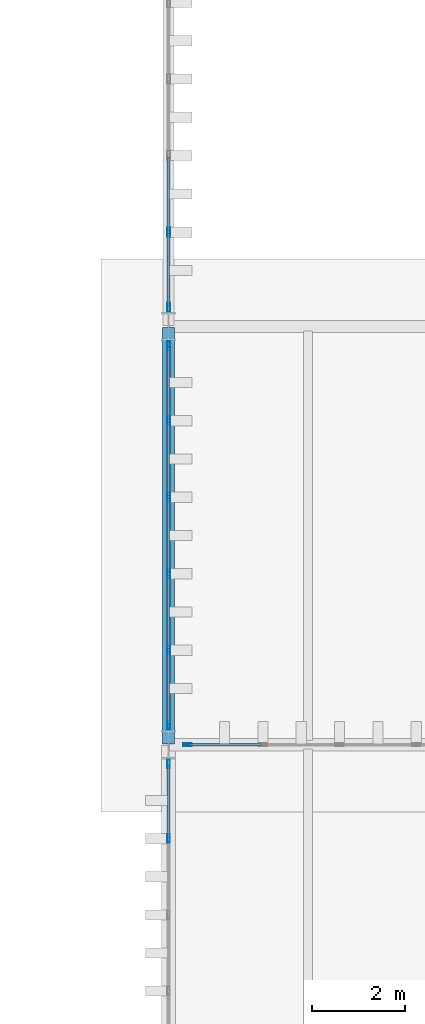
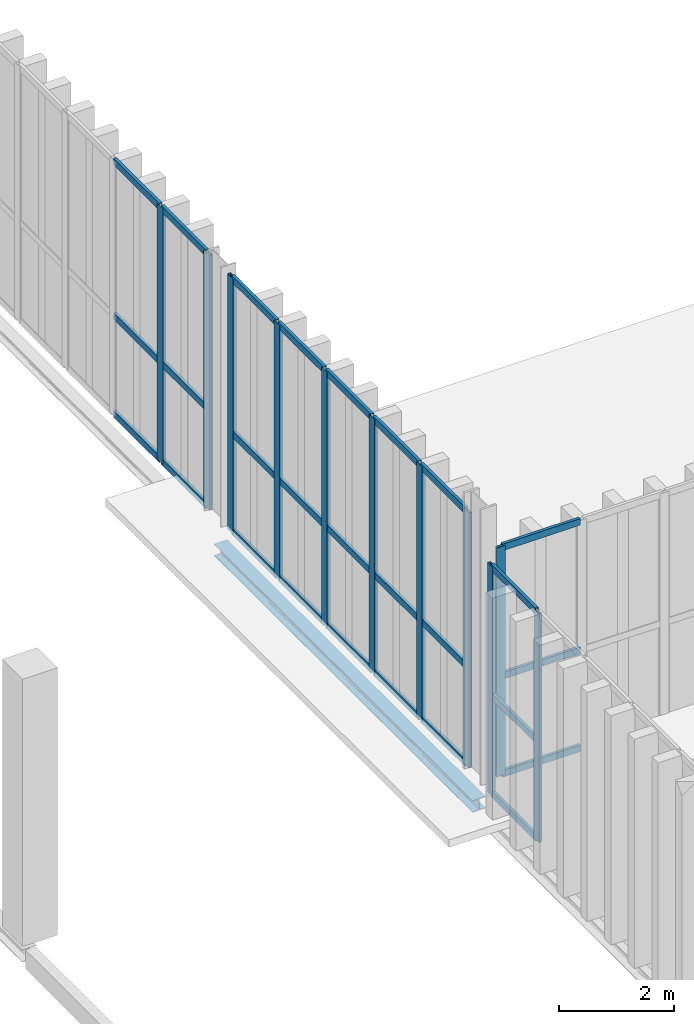
# One storey, part 105 of 237: 38 members, 1 beam, 4 elements without a shape of their own.
"""IFC4 building model written with IfcOpenShell, lengths in metres."""

from ifc_helpers import new_model, si_unit, direction, frame, origin, origin_2d, place, context, subcontext, project, spatial, hollow_rectangle, i_section, extrude, material, layer, layer_set, material_profile, profile_set, type_object, element, aggregate, save


model = new_model("IFC4")

# Units and contexts
model_context = context("Model", 3, precision=1e-05, world=origin(), true_north=direction((0.0, 1.0)))
body_context = subcontext(model_context, "Body", "Model", "MODEL_VIEW")
ifc_project = project(units=[si_unit("LENGTHUNIT", "METRE"), si_unit("AREAUNIT", "SQUARE_METRE"), si_unit("VOLUMEUNIT", "CUBIC_METRE"), si_unit("PLANEANGLEUNIT", "RADIAN"), si_unit("MASSUNIT", "GRAM", prefix="KILO")], contexts=[model_context])

# Site, building, storey
site_placement = place(None, origin())
site = spatial("IfcSite", under=ifc_project, at=site_placement, CompositionType="ELEMENT")
building_placement = place(site_placement, origin())
building = spatial("IfcBuilding", under=site, at=building_placement, Name="Barlavento Convention Centre", CompositionType="ELEMENT")
storey_placement = place(building_placement, frame((0.0, 0.0, 12.0)))
storey = spatial("IfcBuildingStorey", under=building, at=storey_placement, Name="L02", CompositionType="ELEMENT", Elevation=12.0)

# Curtain wall, members
ifc_material_1 = material(Name="Powder-coated aluminium and Low-E glass", Category="aluminium")
ifc_layer_1 = layer(ifc_material_1, 0.195068359375)
ifc_layer_set_1 = layer_set([ifc_layer_1], Name="ARC-CW-BALL-L02")
curtain_wall_type_1 = type_object("IfcCurtainWallType", Name="ARC-CW-BALL-L02", PredefinedType="NOTDEFINED", material=ifc_layer_set_1)
curtain_wall_1_placement = place(storey_placement, origin())
curtain_wall_1 = element("IfcCurtainWall", 1, at=curtain_wall_1_placement, inside=storey, type_object=curtain_wall_type_1, Name="L02 unitised curtain wall CW07", PredefinedType="NOTDEFINED")
ifc_material_2 = material(Name="Powder-coated aluminium", Category="aluminium")
ifc_material_profile_1 = material_profile(ifc_material_2, hollow_rectangle(XDim=0.06005859375, YDim=0.179931640625, WallThickness=0.0048828125, at=origin_2d()), Name="AL-MULL 60x180x5")
ifc_profile_set_1 = profile_set([ifc_material_profile_1], Name="Powder-coated aluminium")
member_type_1 = type_object("IfcMemberType", Name="ARC-CWM-60X180", PredefinedType="MULLION", material=ifc_profile_set_1)
member_1_placement = place(storey_placement, frame((126.0, 96.97998046875, 0.0), z_axis=(0.0, 0.0, 1.0), x_axis=(-1.0, 0.0, 0.0)))
member_1 = element("IfcMember", 2, at=member_1_placement, type_object=member_type_1, Name="CW07 mullion 5", PredefinedType="MULLION", context=body_context, shape_type="SweptSolid", body=[
    extrude(hollow_rectangle(XDim=0.06005859375, YDim=0.179931640625, WallThickness=0.0048828125, at=origin_2d()), origin(), (0.0, 0.0, 1.0), 4.85009765625),
])
member_2_placement = place(storey_placement, frame((126.0, 98.590087890625, 0.0), z_axis=(0.0, 0.0, 1.0), x_axis=(-1.0, 0.0, 0.0)))
member_2 = element("IfcMember", 3, at=member_2_placement, type_object=member_type_1, Name="CW07 mullion 6", PredefinedType="MULLION", context=body_context, shape_type="SweptSolid", body=[
    extrude(hollow_rectangle(XDim=0.06005859375, YDim=0.179931640625, WallThickness=0.0048828125, at=origin_2d()), origin(), (0.0, 0.0, 1.0), 4.85009765625),
])

# Curtain wall, member
curtain_wall_2_placement = place(storey_placement, origin())
curtain_wall_2 = element("IfcCurtainWall", 4, at=curtain_wall_2_placement, inside=storey, type_object=curtain_wall_type_1, Name="L02 unitised curtain wall CW07", PredefinedType="NOTDEFINED")
member_3_placement = place(storey_placement, frame((126.409912109375, 99.0, 0.0), z_axis=(0.0, 0.0, 1.0), x_axis=(0.0, 1.0, 0.0)))
member_3 = element("IfcMember", 5, at=member_3_placement, type_object=member_type_1, Name="CW07 mullion 1", PredefinedType="MULLION", context=body_context, shape_type="SweptSolid", body=[
    extrude(hollow_rectangle(XDim=0.06005859375, YDim=0.179931640625, WallThickness=0.0048828125, at=origin_2d()), origin(), (0.0, 0.0, 1.0), 4.85009765625),
])

# Curtain wall, members
ifc_layer_2 = layer(ifc_material_1, 0.18505859375)
ifc_layer_set_2 = layer_set([ifc_layer_2], Name="ARC-CW-EXH-L02")
curtain_wall_type_2 = type_object("IfcCurtainWallType", Name="ARC-CW-EXH-L02", PredefinedType="NOTDEFINED", material=ifc_layer_set_2)
curtain_wall_3_placement = place(storey_placement, origin())
curtain_wall_3 = element("IfcCurtainWall", 6, at=curtain_wall_3_placement, inside=storey, type_object=curtain_wall_type_2, Name="L02 unitised curtain wall CW05", PredefinedType="NOTDEFINED")
ifc_material_profile_2 = material_profile(ifc_material_2, hollow_rectangle(XDim=0.06494140625, YDim=0.199951171875, WallThickness=0.0048828125, at=origin_2d()), Name="AL-MULL 65x200x5")
ifc_profile_set_2 = profile_set([ifc_material_profile_2], Name="Powder-coated aluminium")
member_type_2 = type_object("IfcMemberType", Name="ARC-CWM-65X200", PredefinedType="MULLION", material=ifc_profile_set_2)
member_4_placement = place(storey_placement, frame((126.0, 99.422607421875, 0.10009765625), z_axis=(0.0, 0.0, 1.0), x_axis=(-1.0, 0.0, 0.0)))
member_4 = element("IfcMember", 7, at=member_4_placement, type_object=member_type_2, Name="CW05 mullion 1", PredefinedType="MULLION", context=body_context, shape_type="SweptSolid", body=[
    extrude(hollow_rectangle(XDim=0.06494140625, YDim=0.199951171875, WallThickness=0.0048828125, at=origin_2d()), origin(), (0.0, 0.0, 1.0), 5.39990234375),
])
member_5_placement = place(storey_placement, frame((126.0, 101.035888671875, 0.10009765625), z_axis=(0.0, 0.0, 1.0), x_axis=(-1.0, 0.0, 0.0)))
member_5 = element("IfcMember", 8, at=member_5_placement, type_object=member_type_2, Name="CW05 mullion 2", PredefinedType="MULLION", context=body_context, shape_type="SweptSolid", body=[
    extrude(hollow_rectangle(XDim=0.06494140625, YDim=0.199951171875, WallThickness=0.0048828125, at=origin_2d()), origin(), (0.0, 0.0, 1.0), 5.39990234375),
])
member_6_placement = place(storey_placement, frame((126.0, 102.681884765625, 0.10009765625), z_axis=(0.0, 0.0, 1.0), x_axis=(-1.0, 0.0, 0.0)))
member_6 = element("IfcMember", 9, at=member_6_placement, type_object=member_type_2, Name="CW05 mullion 3", PredefinedType="MULLION", context=body_context, shape_type="SweptSolid", body=[
    extrude(hollow_rectangle(XDim=0.06494140625, YDim=0.199951171875, WallThickness=0.0048828125, at=origin_2d()), origin(), (0.0, 0.0, 1.0), 5.39990234375),
])
member_7_placement = place(storey_placement, frame((126.0, 104.327880859375, 0.10009765625), z_axis=(0.0, 0.0, 1.0), x_axis=(-1.0, 0.0, 0.0)))
member_7 = element("IfcMember", 10, at=member_7_placement, type_object=member_type_2, Name="CW05 mullion 4", PredefinedType="MULLION", context=body_context, shape_type="SweptSolid", body=[
    extrude(hollow_rectangle(XDim=0.06494140625, YDim=0.199951171875, WallThickness=0.0048828125, at=origin_2d()), origin(), (0.0, 0.0, 1.0), 5.39990234375),
])
member_8_placement = place(storey_placement, frame((126.0, 105.97412109375, 0.10009765625), z_axis=(0.0, 0.0, 1.0), x_axis=(-1.0, 0.0, 0.0)))
member_8 = element("IfcMember", 11, at=member_8_placement, type_object=member_type_2, Name="CW05 mullion 5", PredefinedType="MULLION", context=body_context, shape_type="SweptSolid", body=[
    extrude(hollow_rectangle(XDim=0.06494140625, YDim=0.199951171875, WallThickness=0.0048828125, at=origin_2d()), origin(), (0.0, 0.0, 1.0), 5.39990234375),
])
member_9_placement = place(storey_placement, frame((126.0, 107.58740234375, 0.10009765625), z_axis=(0.0, 0.0, 1.0), x_axis=(-1.0, 0.0, 0.0)))
member_9 = element("IfcMember", 12, at=member_9_placement, type_object=member_type_2, Name="CW05 mullion 6", PredefinedType="MULLION", context=body_context, shape_type="SweptSolid", body=[
    extrude(hollow_rectangle(XDim=0.06494140625, YDim=0.199951171875, WallThickness=0.0048828125, at=origin_2d()), origin(), (0.0, 0.0, 1.0), 5.39990234375),
])

curtain_wall_4_placement = place(storey_placement, origin())
curtain_wall_4 = element("IfcCurtainWall", 13, at=curtain_wall_4_placement, inside=storey, type_object=curtain_wall_type_2, Name="L02 unitised curtain wall CW05", PredefinedType="NOTDEFINED")
member_10_placement = place(storey_placement, frame((126.0, 108.41259765625, 0.10009765625), z_axis=(0.0, 0.0, 1.0), x_axis=(-1.0, 0.0, 0.0)))
member_10 = element("IfcMember", 14, at=member_10_placement, type_object=member_type_2, Name="CW05 mullion 1", PredefinedType="MULLION", context=body_context, shape_type="SweptSolid", body=[
    extrude(hollow_rectangle(XDim=0.06494140625, YDim=0.199951171875, WallThickness=0.0048828125, at=origin_2d()), origin(), (0.0, 0.0, 1.0), 5.39990234375),
])
member_11_placement = place(storey_placement, frame((126.0, 110.028076171875, 0.10009765625), z_axis=(0.0, 0.0, 1.0), x_axis=(-1.0, 0.0, 0.0)))
member_11 = element("IfcMember", 15, at=member_11_placement, type_object=member_type_2, Name="CW05 mullion 2", PredefinedType="MULLION", context=body_context, shape_type="SweptSolid", body=[
    extrude(hollow_rectangle(XDim=0.06494140625, YDim=0.199951171875, WallThickness=0.0048828125, at=origin_2d()), origin(), (0.0, 0.0, 1.0), 5.39990234375),
])

# Member
ifc_material_profile_3 = material_profile(ifc_material_2, hollow_rectangle(XDim=0.06005859375, YDim=0.139892578125, WallThickness=0.00390625, at=origin_2d()), Name="AL-TRAN 60x140x4")
ifc_profile_set_3 = profile_set([ifc_material_profile_3], Name="Powder-coated aluminium")
member_type_3 = type_object("IfcMemberType", Name="ARC-CWT-60X140", PredefinedType="USERDEFINED", material=ifc_profile_set_3)
member_12_placement = place(storey_placement, frame((126.0, 99.455078125, 0.1298828125), z_axis=(0.0, 1.0, 0.0), x_axis=(-1.0, 0.0, 0.0)))
member_12 = element("IfcMember", 16, at=member_12_placement, type_object=member_type_3, Name="CW05 transom 1.1", ObjectType="TRANSOM", PredefinedType="USERDEFINED", context=body_context, shape_type="SweptSolid", body=[
    extrude(hollow_rectangle(XDim=0.06005859375, YDim=0.139892578125, WallThickness=0.00390625, at=origin_2d()), origin(), (0.0, 0.0, 1.0), 1.54833984375),
])

member_13_placement = place(storey_placement, frame((126.0, 99.455078125, 2.199951171875), z_axis=(0.0, 1.0, 0.0), x_axis=(-1.0, 0.0, 0.0)))
member_13 = element("IfcMember", 17, at=member_13_placement, type_object=member_type_3, Name="CW05 transom 1.2", ObjectType="TRANSOM", PredefinedType="USERDEFINED", context=body_context, shape_type="SweptSolid", body=[
    extrude(hollow_rectangle(XDim=0.06005859375, YDim=0.139892578125, WallThickness=0.00390625, at=origin_2d()), origin(), (0.0, 0.0, 1.0), 1.54833984375),
])

member_14_placement = place(storey_placement, frame((126.0, 99.455078125, 5.469970703125), z_axis=(0.0, 1.0, 0.0), x_axis=(-1.0, 0.0, 0.0)))
member_14 = element("IfcMember", 18, at=member_14_placement, type_object=member_type_3, Name="CW05 transom 1.3", ObjectType="TRANSOM", PredefinedType="USERDEFINED", context=body_context, shape_type="SweptSolid", body=[
    extrude(hollow_rectangle(XDim=0.06005859375, YDim=0.139892578125, WallThickness=0.00390625, at=origin_2d()), origin(), (0.0, 0.0, 1.0), 1.54833984375),
])

member_15_placement = place(storey_placement, frame((126.0, 101.068603515625, 0.1298828125), z_axis=(0.0, 1.0, 0.0), x_axis=(-1.0, 0.0, 0.0)))
member_15 = element("IfcMember", 19, at=member_15_placement, type_object=member_type_3, Name="CW05 transom 2.1", ObjectType="TRANSOM", PredefinedType="USERDEFINED", context=body_context, shape_type="SweptSolid", body=[
    extrude(hollow_rectangle(XDim=0.06005859375, YDim=0.139892578125, WallThickness=0.00390625, at=origin_2d()), origin(), (0.0, 0.0, 1.0), 1.580810546875),
])

member_16_placement = place(storey_placement, frame((126.0, 101.068603515625, 2.199951171875), z_axis=(0.0, 1.0, 0.0), x_axis=(-1.0, 0.0, 0.0)))
member_16 = element("IfcMember", 20, at=member_16_placement, type_object=member_type_3, Name="CW05 transom 2.2", ObjectType="TRANSOM", PredefinedType="USERDEFINED", context=body_context, shape_type="SweptSolid", body=[
    extrude(hollow_rectangle(XDim=0.06005859375, YDim=0.139892578125, WallThickness=0.00390625, at=origin_2d()), origin(), (0.0, 0.0, 1.0), 1.580810546875),
])

member_17_placement = place(storey_placement, frame((126.0, 101.068603515625, 5.469970703125), z_axis=(0.0, 1.0, 0.0), x_axis=(-1.0, 0.0, 0.0)))
member_17 = element("IfcMember", 21, at=member_17_placement, type_object=member_type_3, Name="CW05 transom 2.3", ObjectType="TRANSOM", PredefinedType="USERDEFINED", context=body_context, shape_type="SweptSolid", body=[
    extrude(hollow_rectangle(XDim=0.06005859375, YDim=0.139892578125, WallThickness=0.00390625, at=origin_2d()), origin(), (0.0, 0.0, 1.0), 1.580810546875),
])

member_18_placement = place(storey_placement, frame((126.0, 102.714599609375, 0.1298828125), z_axis=(0.0, 1.0, 0.0), x_axis=(-1.0, 0.0, 0.0)))
member_18 = element("IfcMember", 22, at=member_18_placement, type_object=member_type_3, Name="CW05 transom 3.1", ObjectType="TRANSOM", PredefinedType="USERDEFINED", context=body_context, shape_type="SweptSolid", body=[
    extrude(hollow_rectangle(XDim=0.06005859375, YDim=0.139892578125, WallThickness=0.00390625, at=origin_2d()), origin(), (0.0, 0.0, 1.0), 1.580810546875),
])

member_19_placement = place(storey_placement, frame((126.0, 102.714599609375, 2.199951171875), z_axis=(0.0, 1.0, 0.0), x_axis=(-1.0, 0.0, 0.0)))
member_19 = element("IfcMember", 23, at=member_19_placement, type_object=member_type_3, Name="CW05 transom 3.2", ObjectType="TRANSOM", PredefinedType="USERDEFINED", context=body_context, shape_type="SweptSolid", body=[
    extrude(hollow_rectangle(XDim=0.06005859375, YDim=0.139892578125, WallThickness=0.00390625, at=origin_2d()), origin(), (0.0, 0.0, 1.0), 1.580810546875),
])

member_20_placement = place(storey_placement, frame((126.0, 102.714599609375, 5.469970703125), z_axis=(0.0, 1.0, 0.0), x_axis=(-1.0, 0.0, 0.0)))
member_20 = element("IfcMember", 24, at=member_20_placement, type_object=member_type_3, Name="CW05 transom 3.3", ObjectType="TRANSOM", PredefinedType="USERDEFINED", context=body_context, shape_type="SweptSolid", body=[
    extrude(hollow_rectangle(XDim=0.06005859375, YDim=0.139892578125, WallThickness=0.00390625, at=origin_2d()), origin(), (0.0, 0.0, 1.0), 1.580810546875),
])

member_21_placement = place(storey_placement, frame((126.0, 104.360595703125, 0.1298828125), z_axis=(0.0, 1.0, 0.0), x_axis=(-1.0, 0.0, 0.0)))
member_21 = element("IfcMember", 25, at=member_21_placement, type_object=member_type_3, Name="CW05 transom 4.1", ObjectType="TRANSOM", PredefinedType="USERDEFINED", context=body_context, shape_type="SweptSolid", body=[
    extrude(hollow_rectangle(XDim=0.06005859375, YDim=0.139892578125, WallThickness=0.00390625, at=origin_2d()), origin(), (0.0, 0.0, 1.0), 1.580810546875),
])

member_22_placement = place(storey_placement, frame((126.0, 104.360595703125, 2.199951171875), z_axis=(0.0, 1.0, 0.0), x_axis=(-1.0, 0.0, 0.0)))
member_22 = element("IfcMember", 26, at=member_22_placement, type_object=member_type_3, Name="CW05 transom 4.2", ObjectType="TRANSOM", PredefinedType="USERDEFINED", context=body_context, shape_type="SweptSolid", body=[
    extrude(hollow_rectangle(XDim=0.06005859375, YDim=0.139892578125, WallThickness=0.00390625, at=origin_2d()), origin(), (0.0, 0.0, 1.0), 1.580810546875),
])

member_23_placement = place(storey_placement, frame((126.0, 104.360595703125, 5.469970703125), z_axis=(0.0, 1.0, 0.0), x_axis=(-1.0, 0.0, 0.0)))
member_23 = element("IfcMember", 27, at=member_23_placement, type_object=member_type_3, Name="CW05 transom 4.3", ObjectType="TRANSOM", PredefinedType="USERDEFINED", context=body_context, shape_type="SweptSolid", body=[
    extrude(hollow_rectangle(XDim=0.06005859375, YDim=0.139892578125, WallThickness=0.00390625, at=origin_2d()), origin(), (0.0, 0.0, 1.0), 1.580810546875),
])

member_24_placement = place(storey_placement, frame((126.0, 106.006591796875, 0.1298828125), z_axis=(0.0, 1.0, 0.0), x_axis=(-1.0, 0.0, 0.0)))
member_24 = element("IfcMember", 28, at=member_24_placement, type_object=member_type_3, Name="CW05 transom 5.1", ObjectType="TRANSOM", PredefinedType="USERDEFINED", context=body_context, shape_type="SweptSolid", body=[
    extrude(hollow_rectangle(XDim=0.06005859375, YDim=0.139892578125, WallThickness=0.00390625, at=origin_2d()), origin(), (0.0, 0.0, 1.0), 1.54833984375),
])

member_25_placement = place(storey_placement, frame((126.0, 106.006591796875, 2.199951171875), z_axis=(0.0, 1.0, 0.0), x_axis=(-1.0, 0.0, 0.0)))
member_25 = element("IfcMember", 29, at=member_25_placement, type_object=member_type_3, Name="CW05 transom 5.2", ObjectType="TRANSOM", PredefinedType="USERDEFINED", context=body_context, shape_type="SweptSolid", body=[
    extrude(hollow_rectangle(XDim=0.06005859375, YDim=0.139892578125, WallThickness=0.00390625, at=origin_2d()), origin(), (0.0, 0.0, 1.0), 1.54833984375),
])

member_26_placement = place(storey_placement, frame((126.0, 106.006591796875, 5.469970703125), z_axis=(0.0, 1.0, 0.0), x_axis=(-1.0, 0.0, 0.0)))
member_26 = element("IfcMember", 30, at=member_26_placement, type_object=member_type_3, Name="CW05 transom 5.3", ObjectType="TRANSOM", PredefinedType="USERDEFINED", context=body_context, shape_type="SweptSolid", body=[
    extrude(hollow_rectangle(XDim=0.06005859375, YDim=0.139892578125, WallThickness=0.00390625, at=origin_2d()), origin(), (0.0, 0.0, 1.0), 1.54833984375),
])

aggregate(curtain_wall_3, [member_4, member_5, member_6, member_7, member_8, member_9, member_12, member_13, member_14, member_15, member_16, member_17, member_18, member_19, member_20, member_21, member_22, member_23, member_24, member_25, member_26])

member_27_placement = place(storey_placement, frame((126.0, 108.445068359375, 0.1298828125), z_axis=(0.0, 1.0, 0.0), x_axis=(-1.0, 0.0, 0.0)))
member_27 = element("IfcMember", 31, at=member_27_placement, type_object=member_type_3, Name="CW05 transom 1.1", ObjectType="TRANSOM", PredefinedType="USERDEFINED", context=body_context, shape_type="SweptSolid", body=[
    extrude(hollow_rectangle(XDim=0.06005859375, YDim=0.139892578125, WallThickness=0.00390625, at=origin_2d()), origin(), (0.0, 0.0, 1.0), 1.550537109375),
])

member_28_placement = place(storey_placement, frame((126.0, 108.445068359375, 2.199951171875), z_axis=(0.0, 1.0, 0.0), x_axis=(-1.0, 0.0, 0.0)))
member_28 = element("IfcMember", 32, at=member_28_placement, type_object=member_type_3, Name="CW05 transom 1.2", ObjectType="TRANSOM", PredefinedType="USERDEFINED", context=body_context, shape_type="SweptSolid", body=[
    extrude(hollow_rectangle(XDim=0.06005859375, YDim=0.139892578125, WallThickness=0.00390625, at=origin_2d()), origin(), (0.0, 0.0, 1.0), 1.550537109375),
])

member_29_placement = place(storey_placement, frame((126.0, 108.445068359375, 5.469970703125), z_axis=(0.0, 1.0, 0.0), x_axis=(-1.0, 0.0, 0.0)))
member_29 = element("IfcMember", 33, at=member_29_placement, type_object=member_type_3, Name="CW05 transom 1.3", ObjectType="TRANSOM", PredefinedType="USERDEFINED", context=body_context, shape_type="SweptSolid", body=[
    extrude(hollow_rectangle(XDim=0.06005859375, YDim=0.139892578125, WallThickness=0.00390625, at=origin_2d()), origin(), (0.0, 0.0, 1.0), 1.550537109375),
])

member_30_placement = place(storey_placement, frame((126.0, 110.060546875, 0.1298828125), z_axis=(0.0, 1.0, 0.0), x_axis=(-1.0, 0.0, 0.0)))
member_30 = element("IfcMember", 34, at=member_30_placement, type_object=member_type_3, Name="CW05 transom 2.1", ObjectType="TRANSOM", PredefinedType="USERDEFINED", context=body_context, shape_type="SweptSolid", body=[
    extrude(hollow_rectangle(XDim=0.06005859375, YDim=0.139892578125, WallThickness=0.00390625, at=origin_2d()), origin(), (0.0, 0.0, 1.0), 1.5830078125),
])

member_31_placement = place(storey_placement, frame((126.0, 110.060546875, 2.199951171875), z_axis=(0.0, 1.0, 0.0), x_axis=(-1.0, 0.0, 0.0)))
member_31 = element("IfcMember", 35, at=member_31_placement, type_object=member_type_3, Name="CW05 transom 2.2", ObjectType="TRANSOM", PredefinedType="USERDEFINED", context=body_context, shape_type="SweptSolid", body=[
    extrude(hollow_rectangle(XDim=0.06005859375, YDim=0.139892578125, WallThickness=0.00390625, at=origin_2d()), origin(), (0.0, 0.0, 1.0), 1.5830078125),
])

member_32_placement = place(storey_placement, frame((126.0, 110.060546875, 5.469970703125), z_axis=(0.0, 1.0, 0.0), x_axis=(-1.0, 0.0, 0.0)))
member_32 = element("IfcMember", 36, at=member_32_placement, type_object=member_type_3, Name="CW05 transom 2.3", ObjectType="TRANSOM", PredefinedType="USERDEFINED", context=body_context, shape_type="SweptSolid", body=[
    extrude(hollow_rectangle(XDim=0.06005859375, YDim=0.139892578125, WallThickness=0.00390625, at=origin_2d()), origin(), (0.0, 0.0, 1.0), 1.5830078125),
])

aggregate(curtain_wall_4, [member_10, member_11, member_27, member_28, member_29, member_30, member_31, member_32])

member_33_placement = place(storey_placement, frame((126.0, 97.010009765625, 0.030029296875), z_axis=(0.0, 1.0, 0.0), x_axis=(-1.0, 0.0, 0.0)))
member_33 = element("IfcMember", 37, at=member_33_placement, type_object=member_type_3, Name="CW07 transom 5.1", ObjectType="TRANSOM", PredefinedType="USERDEFINED", context=body_context, shape_type="SweptSolid", body=[
    extrude(hollow_rectangle(XDim=0.06005859375, YDim=0.139892578125, WallThickness=0.00390625, at=origin_2d()), origin(), (0.0, 0.0, 1.0), 1.550048828125),
])

member_34_placement = place(storey_placement, frame((126.0, 97.010009765625, 2.10009765625), z_axis=(0.0, 1.0, 0.0), x_axis=(-1.0, 0.0, 0.0)))
member_34 = element("IfcMember", 38, at=member_34_placement, type_object=member_type_3, Name="CW07 transom 5.2", ObjectType="TRANSOM", PredefinedType="USERDEFINED", context=body_context, shape_type="SweptSolid", body=[
    extrude(hollow_rectangle(XDim=0.06005859375, YDim=0.139892578125, WallThickness=0.00390625, at=origin_2d()), origin(), (0.0, 0.0, 1.0), 1.550048828125),
])

member_35_placement = place(storey_placement, frame((126.0, 97.010009765625, 4.820068359375), z_axis=(0.0, 1.0, 0.0), x_axis=(-1.0, 0.0, 0.0)))
member_35 = element("IfcMember", 39, at=member_35_placement, type_object=member_type_3, Name="CW07 transom 5.3", ObjectType="TRANSOM", PredefinedType="USERDEFINED", context=body_context, shape_type="SweptSolid", body=[
    extrude(hollow_rectangle(XDim=0.06005859375, YDim=0.139892578125, WallThickness=0.00390625, at=origin_2d()), origin(), (0.0, 0.0, 1.0), 1.550048828125),
])

aggregate(curtain_wall_1, [member_1, member_2, member_33, member_34, member_35])

member_36_placement = place(storey_placement, frame((126.43994140625, 99.0, 0.030029296875), z_axis=(1.0, 0.0, 0.0), x_axis=(0.0, 1.0, 0.0)))
member_36 = element("IfcMember", 40, at=member_36_placement, type_object=member_type_3, Name="CW07 transom 1.1", ObjectType="TRANSOM", PredefinedType="USERDEFINED", context=body_context, shape_type="SweptSolid", body=[
    extrude(hollow_rectangle(XDim=0.06005859375, YDim=0.139892578125, WallThickness=0.00390625, at=origin_2d()), origin(), (0.0, 0.0, 1.0), 1.56005859375),
])

member_37_placement = place(storey_placement, frame((126.43994140625, 99.0, 2.10009765625), z_axis=(1.0, 0.0, 0.0), x_axis=(0.0, 1.0, 0.0)))
member_37 = element("IfcMember", 41, at=member_37_placement, type_object=member_type_3, Name="CW07 transom 1.2", ObjectType="TRANSOM", PredefinedType="USERDEFINED", context=body_context, shape_type="SweptSolid", body=[
    extrude(hollow_rectangle(XDim=0.06005859375, YDim=0.139892578125, WallThickness=0.00390625, at=origin_2d()), origin(), (0.0, 0.0, 1.0), 1.56005859375),
])

member_38_placement = place(storey_placement, frame((126.43994140625, 99.0, 4.820068359375), z_axis=(1.0, 0.0, 0.0), x_axis=(0.0, 1.0, 0.0)))
member_38 = element("IfcMember", 42, at=member_38_placement, type_object=member_type_3, Name="CW07 transom 1.3", ObjectType="TRANSOM", PredefinedType="USERDEFINED", context=body_context, shape_type="SweptSolid", body=[
    extrude(hollow_rectangle(XDim=0.06005859375, YDim=0.139892578125, WallThickness=0.00390625, at=origin_2d()), origin(), (0.0, 0.0, 1.0), 1.56005859375),
])

aggregate(curtain_wall_2, [member_3, member_36, member_37, member_38])

# Beam
ifc_material_3 = material(Name="Steel S355", Category="steel")
ifc_material_profile_4 = material_profile(ifc_material_3, i_section(OverallWidth=0.260009765625, OverallDepth=0.25, WebThickness=0.007568359375, FlangeThickness=0.012451171875, FilletRadius=0.02392578125, at=origin_2d()), Name="HEA 260")
ifc_profile_set_4 = profile_set([ifc_material_profile_4], Name="Steel S355")
beam_type = type_object("IfcBeamType", Name="STR-BM-SPN-HEA260", PredefinedType="SPANDREL", material=ifc_profile_set_4)
beam_placement = place(storey_placement, frame((126.0, 99.02001953125, -0.489990234375), z_axis=(0.0, 1.0, 0.0), x_axis=(-1.0, 0.0, 0.0)))
element("IfcBeam", 43, at=beam_placement, inside=storey, type_object=beam_type, Name="L02 grid girder SP04", PredefinedType="SPANDREL", context=body_context, shape_type="SweptSolid", body=[
    extrude(i_section(OverallWidth=0.260009765625, OverallDepth=0.25, WebThickness=0.007568359375, FlangeThickness=0.012451171875, FilletRadius=0.02392578125, at=origin_2d()), origin(), (0.0, 0.0, 1.0), 8.9599609375),
])

save(model, "model.ifc")
